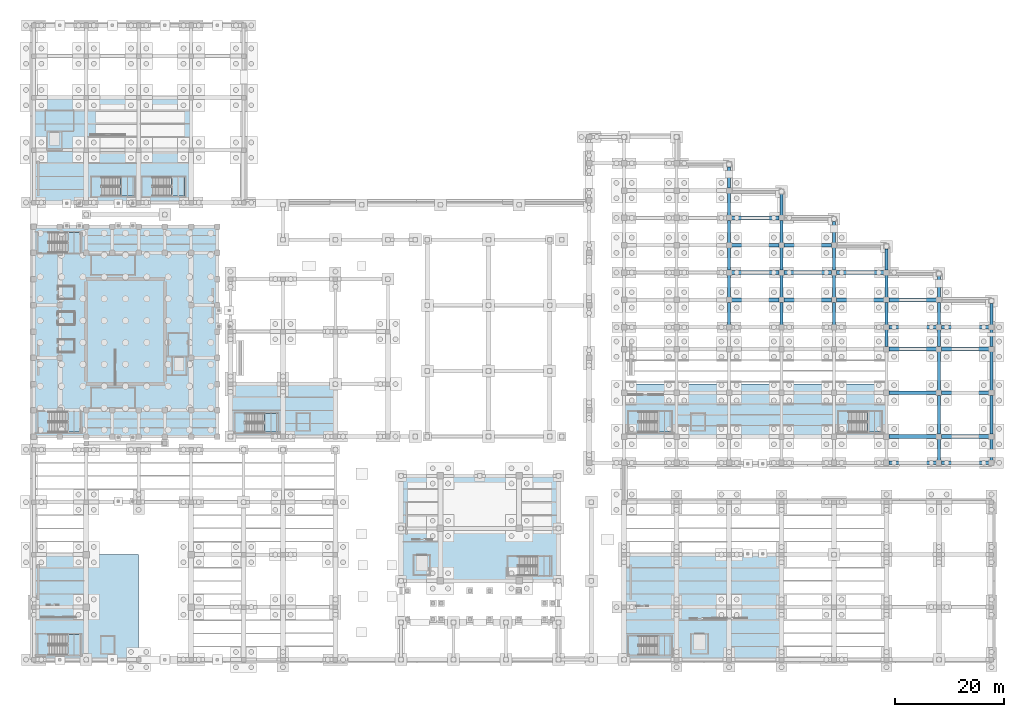
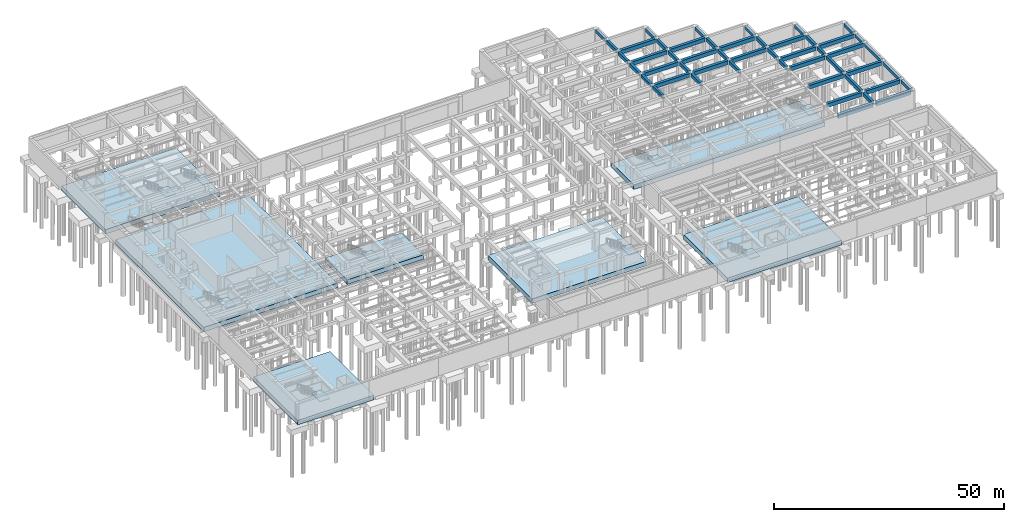
# One storey, part 30 of 56: 50 beams, 17 slabs, 10 elements without a shape of their own.
"""IFC4 building model written with IfcOpenShell, lengths in metres."""

from ifc_helpers import new_model, si_unit, direction, frame, origin, origin_2d, place, context, subcontext, project, spatial, polyline, rectangle, outline, extrude, material, layer, layer_set, material_profile, profile_set, type_object, element, aggregate, save


model = new_model("IFC4")

# Units and contexts
model_context = context("Model", 3, precision=1e-05, world=origin(), true_north=direction((0.0, 1.0)))
body_context = subcontext(model_context, "Body", "Model", "MODEL_VIEW")
ifc_project = project(units=[si_unit("LENGTHUNIT", "METRE"), si_unit("AREAUNIT", "SQUARE_METRE"), si_unit("VOLUMEUNIT", "CUBIC_METRE"), si_unit("PLANEANGLEUNIT", "RADIAN"), si_unit("MASSUNIT", "GRAM", prefix="KILO")], contexts=[model_context])

# Site, building, storey
site_placement = place(None, origin())
site = spatial("IfcSite", under=ifc_project, at=site_placement, CompositionType="ELEMENT")
building_placement = place(site_placement, origin())
building = spatial("IfcBuilding", under=site, at=building_placement, Name="Mavantir Sound Aquarium", CompositionType="ELEMENT")
storey_placement = place(building_placement, frame((0.0, 0.0, -9.60009765625)))
storey = spatial("IfcBuildingStorey", under=building, at=storey_placement, Name="B2", CompositionType="ELEMENT", Elevation=-9.60009765625)

# Beams
ifc_material_1 = material(Name="Concrete C40/50", Category="concrete")
ifc_material_profile_1 = material_profile(ifc_material_1, rectangle(XDim=0.60009765625, YDim=0.89990234375, at=origin_2d()), Name="RC 600X900")
ifc_profile_set_1 = profile_set([ifc_material_profile_1], Name="Concrete C40/50")
beam_type_1 = type_object("IfcBeamType", Name="BM-RC600X900-E", PredefinedType="BEAM", material=ifc_profile_set_1)
beam_1_placement = place(storey_placement, frame((175.199951171875, 36.449951171875, 4.34619140625), z_axis=(0.0, 1.0, 0.0), x_axis=(-1.0, 0.0, 0.0)))
element("IfcBeam", 1, at=beam_1_placement, inside=storey, type_object=beam_type_1, Name="B2 primary girder RCB-09 306", PredefinedType="BEAM", context=body_context, shape_type="SweptSolid", body=[
    extrude(rectangle(XDim=0.60009765625, YDim=0.89990234375, at=origin_2d()), origin(), (0.0, 0.0, 1.0), 3.900146484375),
])
for number, where, z_axis, x_axis, name in (
    (2, (175.199951171875, 41.25, 4.34619140625), (0.0, 1.0, 0.0), (-1.0, 0.0, 0.0), "B2 primary girder RCB-09 307"),
    (3, (175.199951171875, 49.25, 4.34619140625), (0.0, 1.0, 0.0), (-1.0, 0.0, 0.0), "B2 primary girder RCB-09 308"),
):
    element("IfcBeam", number, at=place(storey_placement, frame(where, z_axis=z_axis, x_axis=x_axis)), inside=storey, type_object=beam_type_1, Name=name, PredefinedType="BEAM", context=body_context, shape_type="SweptSolid", body=[
        extrude(rectangle(XDim=0.60009765625, YDim=0.89990234375, at=origin_2d()), origin(), (0.0, 0.0, 1.0), 7.10009765625),
    ])
beam_2_placement = place(storey_placement, frame((175.199951171875, 57.25, 4.34619140625), z_axis=(0.0, 1.0, 0.0), x_axis=(-1.0, 0.0, 0.0)))
element("IfcBeam", 4, at=beam_2_placement, inside=storey, type_object=beam_type_1, Name="B2 primary girder RCB-09 309", PredefinedType="BEAM", context=body_context, shape_type="SweptSolid", body=[
    extrude(rectangle(XDim=0.60009765625, YDim=0.89990234375, at=origin_2d()), origin(), (0.0, 0.0, 1.0), 3.10009765625),
])
beam_3_placement = place(storey_placement, frame((175.199951171875, 61.25, 4.34619140625), z_axis=(0.0, 1.0, 0.0), x_axis=(-1.0, 0.0, 0.0)))
element("IfcBeam", 5, at=beam_3_placement, inside=storey, type_object=beam_type_1, Name="B2 primary girder RCB-09 310", PredefinedType="BEAM", context=body_context, shape_type="SweptSolid", body=[
    extrude(rectangle(XDim=0.60009765625, YDim=0.89990234375, at=origin_2d()), origin(), (0.0, 0.0, 1.0), 3.89990234375),
])
ifc_material_profile_2 = material_profile(ifc_material_1, rectangle(XDim=0.60009765625, YDim=0.89990234375, at=origin_2d()), Name="RC 600X900")
ifc_profile_set_2 = profile_set([ifc_material_profile_2], Name="Concrete C40/50")
beam_type_2 = type_object("IfcBeamType", Name="BM-RC600X900-I", PredefinedType="BEAM", material=ifc_profile_set_2)
for number, where, z_axis, x_axis, name in (
    (6, (127.199951171875, 61.25, 4.34619140625), (0.0, 1.0, 0.0), (-1.0, 0.0, 0.0), "B2 primary girder RCB-09 270"),
    (7, (127.199951171875, 66.25, 4.34619140625), (0.0, 1.0, 0.0), (-1.0, 0.0, 0.0), "B2 primary girder RCB-09 271"),
    (8, (127.199951171875, 71.25, 4.34619140625), (0.0, 1.0, 0.0), (-1.0, 0.0, 0.0), "B2 primary girder RCB-09 272"),
    (9, (127.199951171875, 76.25, 4.34619140625), (0.0, 1.0, 0.0), (-1.0, 0.0, 0.0), "B2 primary girder RCB-09 273"),
    (10, (127.199951171875, 81.25, 4.34619140625), (0.0, 1.0, 0.0), (-1.0, 0.0, 0.0), "B2 primary girder RCB-09 274"),
):
    element("IfcBeam", number, at=place(storey_placement, frame(where, z_axis=z_axis, x_axis=x_axis)), inside=storey, type_object=beam_type_2, Name=name, PredefinedType="BEAM", context=body_context, shape_type="SweptSolid", body=[
        extrude(rectangle(XDim=0.60009765625, YDim=0.89990234375, at=origin_2d()), origin(), (0.0, 0.0, 1.0), 4.10009765625),
    ])
beam_4_placement = place(storey_placement, frame((127.199951171875, 86.25, 4.34619140625), z_axis=(0.0, 1.0, 0.0), x_axis=(-1.0, 0.0, 0.0)))
element("IfcBeam", 11, at=beam_4_placement, inside=storey, type_object=beam_type_2, Name="B2 primary girder RCB-09 275", PredefinedType="BEAM", context=body_context, shape_type="SweptSolid", body=[
    extrude(rectangle(XDim=0.60009765625, YDim=0.89990234375, at=origin_2d()), origin(), (0.0, 0.0, 1.0), 3.89990234375),
])
for number, where, z_axis, x_axis, name in (
    (12, (136.800048828125, 61.25, 4.34619140625), (0.0, 1.0, 0.0), (-1.0, 0.0, 0.0), "B2 primary girder RCB-09 280"),
    (13, (136.800048828125, 66.25, 4.34619140625), (0.0, 1.0, 0.0), (-1.0, 0.0, 0.0), "B2 primary girder RCB-09 281"),
    (14, (136.800048828125, 71.25, 4.34619140625), (0.0, 1.0, 0.0), (-1.0, 0.0, 0.0), "B2 primary girder RCB-09 282"),
    (15, (136.800048828125, 76.25, 4.34619140625), (0.0, 1.0, 0.0), (-1.0, 0.0, 0.0), "B2 primary girder RCB-09 283"),
):
    element("IfcBeam", number, at=place(storey_placement, frame(where, z_axis=z_axis, x_axis=x_axis)), inside=storey, type_object=beam_type_2, Name=name, PredefinedType="BEAM", context=body_context, shape_type="SweptSolid", body=[
        extrude(rectangle(XDim=0.60009765625, YDim=0.89990234375, at=origin_2d()), origin(), (0.0, 0.0, 1.0), 4.10009765625),
    ])
beam_5_placement = place(storey_placement, frame((136.800048828125, 81.25, 4.34619140625), z_axis=(0.0, 1.0, 0.0), x_axis=(-1.0, 0.0, 0.0)))
element("IfcBeam", 16, at=beam_5_placement, inside=storey, type_object=beam_type_2, Name="B2 primary girder RCB-09 284", PredefinedType="BEAM", context=body_context, shape_type="SweptSolid", body=[
    extrude(rectangle(XDim=0.60009765625, YDim=0.89990234375, at=origin_2d()), origin(), (0.0, 0.0, 1.0), 3.89990234375),
])
for number, where, z_axis, x_axis, name in (
    (17, (146.39990234375, 61.25, 4.34619140625), (0.0, 1.0, 0.0), (-1.0, 0.0, 0.0), "B2 primary girder RCB-09 289"),
    (18, (146.39990234375, 66.25, 4.34619140625), (0.0, 1.0, 0.0), (-1.0, 0.0, 0.0), "B2 primary girder RCB-09 290"),
    (19, (146.39990234375, 71.25, 4.34619140625), (0.0, 1.0, 0.0), (-1.0, 0.0, 0.0), "B2 primary girder RCB-09 291"),
):
    element("IfcBeam", number, at=place(storey_placement, frame(where, z_axis=z_axis, x_axis=x_axis)), inside=storey, type_object=beam_type_2, Name=name, PredefinedType="BEAM", context=body_context, shape_type="SweptSolid", body=[
        extrude(rectangle(XDim=0.60009765625, YDim=0.89990234375, at=origin_2d()), origin(), (0.0, 0.0, 1.0), 4.10009765625),
    ])
beam_6_placement = place(storey_placement, frame((146.39990234375, 76.25, 4.34619140625), z_axis=(0.0, 1.0, 0.0), x_axis=(-1.0, 0.0, 0.0)))
element("IfcBeam", 20, at=beam_6_placement, inside=storey, type_object=beam_type_2, Name="B2 primary girder RCB-09 292", PredefinedType="BEAM", context=body_context, shape_type="SweptSolid", body=[
    extrude(rectangle(XDim=0.60009765625, YDim=0.89990234375, at=origin_2d()), origin(), (0.0, 0.0, 1.0), 3.89990234375),
])
beam_7_placement = place(storey_placement, frame((156.0, 57.25, 4.34619140625), z_axis=(0.0, 1.0, 0.0), x_axis=(-1.0, 0.0, 0.0)))
element("IfcBeam", 21, at=beam_7_placement, inside=storey, type_object=beam_type_2, Name="B2 primary girder RCB-09 296", PredefinedType="BEAM", context=body_context, shape_type="SweptSolid", body=[
    extrude(rectangle(XDim=0.60009765625, YDim=0.89990234375, at=origin_2d()), origin(), (0.0, 0.0, 1.0), 3.10009765625),
])
for number, where, z_axis, x_axis, name in (
    (22, (156.0, 61.25, 4.34619140625), (0.0, 1.0, 0.0), (-1.0, 0.0, 0.0), "B2 primary girder RCB-09 297"),
    (23, (156.0, 66.25, 4.34619140625), (0.0, 1.0, 0.0), (-1.0, 0.0, 0.0), "B2 primary girder RCB-09 298"),
):
    element("IfcBeam", number, at=place(storey_placement, frame(where, z_axis=z_axis, x_axis=x_axis)), inside=storey, type_object=beam_type_2, Name=name, PredefinedType="BEAM", context=body_context, shape_type="SweptSolid", body=[
        extrude(rectangle(XDim=0.60009765625, YDim=0.89990234375, at=origin_2d()), origin(), (0.0, 0.0, 1.0), 4.10009765625),
    ])
beam_8_placement = place(storey_placement, frame((156.0, 71.25, 4.34619140625), z_axis=(0.0, 1.0, 0.0), x_axis=(-1.0, 0.0, 0.0)))
element("IfcBeam", 24, at=beam_8_placement, inside=storey, type_object=beam_type_2, Name="B2 primary girder RCB-09 299", PredefinedType="BEAM", context=body_context, shape_type="SweptSolid", body=[
    extrude(rectangle(XDim=0.60009765625, YDim=0.89990234375, at=origin_2d()), origin(), (0.0, 0.0, 1.0), 3.89990234375),
])
beam_9_placement = place(storey_placement, frame((165.60009765625, 36.449951171875, 4.34619140625), z_axis=(0.0, 1.0, 0.0), x_axis=(-1.0, 0.0, 0.0)))
element("IfcBeam", 25, at=beam_9_placement, inside=storey, type_object=beam_type_2, Name="B2 primary girder RCB-09 300", PredefinedType="BEAM", context=body_context, shape_type="SweptSolid", body=[
    extrude(rectangle(XDim=0.60009765625, YDim=0.89990234375, at=origin_2d()), origin(), (0.0, 0.0, 1.0), 3.900146484375),
])
for number, where, z_axis, x_axis, name in (
    (26, (165.60009765625, 41.25, 4.34619140625), (0.0, 1.0, 0.0), (-1.0, 0.0, 0.0), "B2 primary girder RCB-09 301"),
    (27, (165.60009765625, 49.25, 4.34619140625), (0.0, 1.0, 0.0), (-1.0, 0.0, 0.0), "B2 primary girder RCB-09 302"),
):
    element("IfcBeam", number, at=place(storey_placement, frame(where, z_axis=z_axis, x_axis=x_axis)), inside=storey, type_object=beam_type_2, Name=name, PredefinedType="BEAM", context=body_context, shape_type="SweptSolid", body=[
        extrude(rectangle(XDim=0.60009765625, YDim=0.89990234375, at=origin_2d()), origin(), (0.0, 0.0, 1.0), 7.10009765625),
    ])
beam_10_placement = place(storey_placement, frame((165.60009765625, 57.25, 4.34619140625), z_axis=(0.0, 1.0, 0.0), x_axis=(-1.0, 0.0, 0.0)))
element("IfcBeam", 28, at=beam_10_placement, inside=storey, type_object=beam_type_2, Name="B2 primary girder RCB-09 303", PredefinedType="BEAM", context=body_context, shape_type="SweptSolid", body=[
    extrude(rectangle(XDim=0.60009765625, YDim=0.89990234375, at=origin_2d()), origin(), (0.0, 0.0, 1.0), 3.10009765625),
])
beam_11_placement = place(storey_placement, frame((165.60009765625, 61.25, 4.34619140625), z_axis=(0.0, 1.0, 0.0), x_axis=(-1.0, 0.0, 0.0)))
element("IfcBeam", 29, at=beam_11_placement, inside=storey, type_object=beam_type_2, Name="B2 primary girder RCB-09 304", PredefinedType="BEAM", context=body_context, shape_type="SweptSolid", body=[
    extrude(rectangle(XDim=0.60009765625, YDim=0.89990234375, at=origin_2d()), origin(), (0.0, 0.0, 1.0), 4.10009765625),
])
beam_12_placement = place(storey_placement, frame((165.60009765625, 66.25, 4.34619140625), z_axis=(0.0, 1.0, 0.0), x_axis=(-1.0, 0.0, 0.0)))
element("IfcBeam", 30, at=beam_12_placement, inside=storey, type_object=beam_type_2, Name="B2 primary girder RCB-09 305", PredefinedType="BEAM", context=body_context, shape_type="SweptSolid", body=[
    extrude(rectangle(XDim=0.60009765625, YDim=0.89990234375, at=origin_2d()), origin(), (0.0, 0.0, 1.0), 3.89990234375),
])
ifc_material_profile_3 = material_profile(ifc_material_1, rectangle(XDim=0.699951171875, YDim=1.0, at=origin_2d()), Name="RC 700X1000")
ifc_profile_set_3 = profile_set([ifc_material_profile_3], Name="Concrete C40/50")
beam_type_3 = type_object("IfcBeamType", Name="BM-RC700X1000-E", PredefinedType="BEAM", material=ifc_profile_set_3)
for number, where, z_axis, x_axis, name in (
    (31, (156.449951171875, 36.0, 4.296142578125), (1.0, 0.0, 0.0), (0.0, 1.0, 0.0), "B2 primary beam RCB-10 183"),
    (32, (166.050048828125, 36.0, 4.296142578125), (1.0, 0.0, 0.0), (0.0, 1.0, 0.0), "B2 primary beam RCB-10 184"),
):
    element("IfcBeam", number, at=place(storey_placement, frame(where, z_axis=z_axis, x_axis=x_axis)), inside=storey, type_object=beam_type_3, Name=name, PredefinedType="BEAM", context=body_context, shape_type="SweptSolid", body=[
        extrude(rectangle(XDim=0.699951171875, YDim=1.0, at=origin_2d()), origin(), (0.0, 0.0, 1.0), 8.699951171875),
    ])
ifc_material_profile_4 = material_profile(ifc_material_1, rectangle(XDim=0.699951171875, YDim=1.0, at=origin_2d()), Name="RC 700X1000")
ifc_profile_set_4 = profile_set([ifc_material_profile_4], Name="Concrete C40/50")
beam_type_4 = type_object("IfcBeamType", Name="BM-RC700X1000-I", PredefinedType="BEAM", material=ifc_profile_set_4)
for number, where, z_axis, x_axis, name in (
    (33, (156.449951171875, 40.800048828125, 4.296142578125), (1.0, 0.0, 0.0), (0.0, 1.0, 0.0), "B2 primary beam RCB-10 190"),
    (34, (166.050048828125, 40.800048828125, 4.296142578125), (1.0, 0.0, 0.0), (0.0, 1.0, 0.0), "B2 primary beam RCB-10 191"),
    (35, (156.449951171875, 48.800048828125, 4.296142578125), (1.0, 0.0, 0.0), (0.0, 1.0, 0.0), "B2 primary beam RCB-10 197"),
    (36, (166.050048828125, 48.800048828125, 4.296142578125), (1.0, 0.0, 0.0), (0.0, 1.0, 0.0), "B2 primary beam RCB-10 198"),
    (37, (156.449951171875, 56.800048828125, 4.296142578125), (1.0, 0.0, 0.0), (0.0, 1.0, 0.0), "B2 primary beam RCB-10 204"),
    (38, (166.050048828125, 56.800048828125, 4.296142578125), (1.0, 0.0, 0.0), (0.0, 1.0, 0.0), "B2 primary beam RCB-10 205"),
    (39, (156.449951171875, 60.800048828125, 4.296142578125), (1.0, 0.0, 0.0), (0.0, 1.0, 0.0), "B2 primary beam RCB-10 211"),
    (40, (166.050048828125, 60.800048828125, 4.296142578125), (1.0, 0.0, 0.0), (0.0, 1.0, 0.0), "B2 primary beam RCB-10 212"),
):
    element("IfcBeam", number, at=place(storey_placement, frame(where, z_axis=z_axis, x_axis=x_axis)), inside=storey, type_object=beam_type_4, Name=name, PredefinedType="BEAM", context=body_context, shape_type="SweptSolid", body=[
        extrude(rectangle(XDim=0.699951171875, YDim=1.0, at=origin_2d()), origin(), (0.0, 0.0, 1.0), 8.699951171875),
    ])
beam_13_placement = place(storey_placement, frame((127.64990234375, 65.800048828125, 4.296142578125), z_axis=(1.0, 0.0, 0.0), x_axis=(0.0, 1.0, 0.0)))
element("IfcBeam", 41, at=beam_13_placement, inside=storey, type_object=beam_type_4, Name="B2 primary beam RCB-10 215", PredefinedType="BEAM", context=body_context, shape_type="SweptSolid", body=[
    extrude(rectangle(XDim=0.699951171875, YDim=1.0, at=origin_2d()), origin(), (0.0, 0.0, 1.0), 8.7001953125),
])
for number, where, z_axis, x_axis, name in (
    (42, (137.25, 65.800048828125, 4.296142578125), (1.0, 0.0, 0.0), (0.0, 1.0, 0.0), "B2 primary beam RCB-10 216"),
    (43, (146.85009765625, 65.800048828125, 4.296142578125), (1.0, 0.0, 0.0), (0.0, 1.0, 0.0), "B2 primary beam RCB-10 217"),
    (44, (156.449951171875, 65.800048828125, 4.296142578125), (1.0, 0.0, 0.0), (0.0, 1.0, 0.0), "B2 primary beam RCB-10 218"),
):
    element("IfcBeam", number, at=place(storey_placement, frame(where, z_axis=z_axis, x_axis=x_axis)), inside=storey, type_object=beam_type_4, Name=name, PredefinedType="BEAM", context=body_context, shape_type="SweptSolid", body=[
        extrude(rectangle(XDim=0.699951171875, YDim=1.0, at=origin_2d()), origin(), (0.0, 0.0, 1.0), 8.699951171875),
    ])
beam_14_placement = place(storey_placement, frame((127.64990234375, 70.800048828125, 4.296142578125), z_axis=(1.0, 0.0, 0.0), x_axis=(0.0, 1.0, 0.0)))
element("IfcBeam", 45, at=beam_14_placement, inside=storey, type_object=beam_type_4, Name="B2 primary beam RCB-10 221", PredefinedType="BEAM", context=body_context, shape_type="SweptSolid", body=[
    extrude(rectangle(XDim=0.699951171875, YDim=1.0, at=origin_2d()), origin(), (0.0, 0.0, 1.0), 8.7001953125),
])
for number, where, z_axis, x_axis, name in (
    (46, (137.25, 70.800048828125, 4.296142578125), (1.0, 0.0, 0.0), (0.0, 1.0, 0.0), "B2 primary beam RCB-10 222"),
    (47, (146.85009765625, 70.800048828125, 4.296142578125), (1.0, 0.0, 0.0), (0.0, 1.0, 0.0), "B2 primary beam RCB-10 223"),
):
    element("IfcBeam", number, at=place(storey_placement, frame(where, z_axis=z_axis, x_axis=x_axis)), inside=storey, type_object=beam_type_4, Name=name, PredefinedType="BEAM", context=body_context, shape_type="SweptSolid", body=[
        extrude(rectangle(XDim=0.699951171875, YDim=1.0, at=origin_2d()), origin(), (0.0, 0.0, 1.0), 8.699951171875),
    ])
beam_15_placement = place(storey_placement, frame((127.64990234375, 75.800048828125, 4.296142578125), z_axis=(1.0, 0.0, 0.0), x_axis=(0.0, 1.0, 0.0)))
element("IfcBeam", 48, at=beam_15_placement, inside=storey, type_object=beam_type_4, Name="B2 primary beam RCB-10 226", PredefinedType="BEAM", context=body_context, shape_type="SweptSolid", body=[
    extrude(rectangle(XDim=0.699951171875, YDim=1.0, at=origin_2d()), origin(), (0.0, 0.0, 1.0), 8.7001953125),
])
beam_16_placement = place(storey_placement, frame((137.25, 75.800048828125, 4.296142578125), z_axis=(1.0, 0.0, 0.0), x_axis=(0.0, 1.0, 0.0)))
element("IfcBeam", 49, at=beam_16_placement, inside=storey, type_object=beam_type_4, Name="B2 primary beam RCB-10 227", PredefinedType="BEAM", context=body_context, shape_type="SweptSolid", body=[
    extrude(rectangle(XDim=0.699951171875, YDim=1.0, at=origin_2d()), origin(), (0.0, 0.0, 1.0), 8.699951171875),
])
beam_17_placement = place(storey_placement, frame((127.64990234375, 80.800048828125, 4.296142578125), z_axis=(1.0, 0.0, 0.0), x_axis=(0.0, 1.0, 0.0)))
element("IfcBeam", 50, at=beam_17_placement, inside=storey, type_object=beam_type_4, Name="B2 primary beam RCB-10 230", PredefinedType="BEAM", context=body_context, shape_type="SweptSolid", body=[
    extrude(rectangle(XDim=0.699951171875, YDim=1.0, at=origin_2d()), origin(), (0.0, 0.0, 1.0), 8.7001953125),
])

# Slabs
ifc_material_2 = material(Name="Concrete C45/55", Category="concrete")
ifc_layer_1 = layer(ifc_material_2, 1.199951171875, Name="Concrete C45/55")
ifc_layer_set_1 = layer_set([ifc_layer_1], Name="Concrete C45/55")
slab_type_1 = type_object("IfcSlabType", Name="SLB-BS-01", PredefinedType="BASESLAB", material=ifc_layer_set_1)
slab_1_placement = place(storey_placement, frame((0.0, 0.0, -1.199951171875)))
element("IfcSlab", 51, at=slab_1_placement, inside=storey, type_object=slab_type_1, Name="B2 structural slab BS-01 (V1)", PredefinedType="BASESLAB", context=body_context, shape_type="SweptSolid", body=[
    extrude(outline(polyline([(33.60009765625, 40.800048828125), (33.60009765625, 79.199951171875), (0.0, 79.199951171875), (0.0, 40.800048828125), (33.60009765625, 40.800048828125)])), origin(), (0.0, 0.0, 1.0), 1.199951171875),
])
ifc_layer_2 = layer(ifc_material_1, 1.199951171875, Name="Concrete C40/50")
ifc_layer_set_2 = layer_set([ifc_layer_2], Name="Concrete C40/50")
slab_type_2 = type_object("IfcSlabType", Name="SLB-BS-02", PredefinedType="BASESLAB", material=ifc_layer_set_2)
slab_2_placement = place(storey_placement, frame((0.0, 0.0, -1.199951171875)))
element("IfcSlab", 52, at=slab_2_placement, inside=storey, type_object=slab_type_2, Name="B2 structural slab BS-02 (V2)", PredefinedType="BASESLAB", context=body_context, shape_type="SweptSolid", body=[
    extrude(outline(polyline([(55.199951171875, 40.800048828125), (55.199951171875, 50.39990234375), (36.0, 50.39990234375), (36.0, 40.800048828125), (55.199951171875, 40.800048828125)])), origin(), (0.0, 0.0, 1.0), 1.199951171875),
])
slab_3_placement = place(storey_placement, frame((0.0, 0.0, -1.199951171875)))
element("IfcSlab", 53, at=slab_3_placement, inside=storey, type_object=slab_type_2, Name="B2 structural slab BS-02 (V3)", PredefinedType="BASESLAB", context=body_context, shape_type="SweptSolid", body=[
    extrude(outline(polyline([(19.199951171875, 0.0), (19.199951171875, 19.199951171875), (0.0, 19.199951171875), (0.0, 0.0), (19.199951171875, 0.0)])), origin(), (0.0, 0.0, 1.0), 1.199951171875),
])
slab_4_placement = place(storey_placement, frame((0.0, 0.0, -1.199951171875)))
element("IfcSlab", 54, at=slab_4_placement, inside=storey, type_object=slab_type_2, Name="B2 structural slab BS-02 (V7)", PredefinedType="BASESLAB", context=body_context, shape_type="SweptSolid", body=[
    extrude(outline(polyline([(96.0, 14.39990234375), (96.0, 33.60009765625), (67.199951171875, 33.60009765625), (67.199951171875, 14.39990234375), (96.0, 14.39990234375)])), origin(), (0.0, 0.0, 1.0), 1.199951171875),
])
slab_5_placement = place(storey_placement, frame((0.0, 0.0, -1.199951171875)))
element("IfcSlab", 55, at=slab_5_placement, inside=storey, type_object=slab_type_2, Name="B2 structural slab BS-02 (V6)", PredefinedType="BASESLAB", context=body_context, shape_type="SweptSolid", body=[
    extrude(outline(polyline([(136.800048828125, 0.0), (136.800048828125, 19.199951171875), (108.0, 19.199951171875), (108.0, 0.0), (136.800048828125, 0.0)])), origin(), (0.0, 0.0, 1.0), 1.199951171875),
])
slab_6_placement = place(storey_placement, frame((0.0, 0.0, -1.199951171875)))
element("IfcSlab", 56, at=slab_6_placement, inside=storey, type_object=slab_type_2, Name="B2 structural slab BS-02 (V4)", PredefinedType="BASESLAB", context=body_context, shape_type="SweptSolid", body=[
    extrude(outline(polyline([(156.0, 40.800048828125), (156.0, 50.39990234375), (108.0, 50.39990234375), (108.0, 40.800048828125), (156.0, 40.800048828125)])), origin(), (0.0, 0.0, 1.0), 1.199951171875),
])
slab_7_placement = place(storey_placement, frame((0.0, 0.0, -1.199951171875)))
element("IfcSlab", 57, at=slab_7_placement, inside=storey, type_object=slab_type_2, Name="B2 structural slab BS-02 (V5)", PredefinedType="BASESLAB", context=body_context, shape_type="SweptSolid", body=[
    extrude(outline(polyline([(28.800048828125, 83.60009765625), (28.800048828125, 102.800048828125), (0.0, 102.800048828125), (0.0, 83.60009765625), (28.800048828125, 83.60009765625)])), origin(), (0.0, 0.0, 1.0), 1.199951171875),
])

# Stair, slab
stair_type_1 = type_object("IfcStairType", Name="STR-1800-4800", PredefinedType="HALF_TURN_STAIR", material=ifc_material_1)
stair_1_placement = place(storey_placement, origin())
stair_1 = element("IfcStair", 58, at=stair_1_placement, inside=storey, type_object=stair_type_1, Name="B2 Protected exit stair ST1", PredefinedType="HALF_TURN_STAIR")
ifc_layer_3 = layer(ifc_material_1, 0.199951171875, Name="Concrete C40/50")
ifc_layer_set_3 = layer_set([ifc_layer_3], Name="Concrete C40/50")
slab_type_3 = type_object("IfcSlabType", Name="SLB-LND-360", PredefinedType="LANDING", material=ifc_layer_set_3)
slab_8_placement = place(storey_placement, frame((0.0, 0.0, 2.2001953125)))
slab_8 = element("IfcSlab", 59, at=slab_8_placement, type_object=slab_type_3, Name="ST1 landing 1", PredefinedType="LANDING", context=body_context, shape_type="SweptSolid", body=[
    extrude(outline(polyline([(6.1298828125, 41.60009765625), (8.64990234375, 41.60009765625), (8.64990234375, 45.35009765625), (6.1298828125, 45.35009765625), (6.1298828125, 41.60009765625)])), origin(), (0.0, 0.0, 1.0), 0.199951171875),
])
aggregate(stair_1, [slab_8])

stair_2_placement = place(storey_placement, origin())
stair_2 = element("IfcStair", 60, at=stair_2_placement, inside=storey, type_object=stair_type_1, Name="B2 Protected exit stair ST2", PredefinedType="HALF_TURN_STAIR")
slab_9_placement = place(storey_placement, frame((0.0, 0.0, 2.2001953125)))
slab_9 = element("IfcSlab", 61, at=slab_9_placement, type_object=slab_type_3, Name="ST2 landing 1", PredefinedType="LANDING", context=body_context, shape_type="SweptSolid", body=[
    extrude(outline(polyline([(6.1298828125, 74.39990234375), (8.64990234375, 74.39990234375), (8.64990234375, 78.14990234375), (6.1298828125, 78.14990234375), (6.1298828125, 74.39990234375)])), origin(), (0.0, 0.0, 1.0), 0.199951171875),
])
aggregate(stair_2, [slab_9])

stair_3_placement = place(storey_placement, origin())
stair_3 = element("IfcStair", 62, at=stair_3_placement, inside=storey, type_object=stair_type_1, Name="B2 Protected exit stair ST3", PredefinedType="HALF_TURN_STAIR")
slab_10_placement = place(storey_placement, frame((0.0, 0.0, 2.2001953125)))
slab_10 = element("IfcSlab", 63, at=slab_10_placement, type_object=slab_type_3, Name="ST3 landing 1", PredefinedType="LANDING", context=body_context, shape_type="SweptSolid", body=[
    extrude(outline(polyline([(6.1298828125, 0.85009765625), (8.64990234375, 0.85009765625), (8.64990234375, 4.60009765625), (6.1298828125, 4.60009765625), (6.1298828125, 0.85009765625)])), origin(), (0.0, 0.0, 1.0), 0.199951171875),
])
aggregate(stair_3, [slab_10])

stair_4_placement = place(storey_placement, origin())
stair_4 = element("IfcStair", 64, at=stair_4_placement, inside=storey, type_object=stair_type_1, Name="B2 Protected exit stair ST4", PredefinedType="HALF_TURN_STAIR")
slab_11_placement = place(storey_placement, frame((0.0, 0.0, 2.2001953125)))
slab_11 = element("IfcSlab", 65, at=slab_11_placement, type_object=slab_type_3, Name="ST4 landing 1", PredefinedType="LANDING", context=body_context, shape_type="SweptSolid", body=[
    extrude(outline(polyline([(114.1298828125, 41.60009765625), (116.64990234375, 41.60009765625), (116.64990234375, 45.35009765625), (114.1298828125, 45.35009765625), (114.1298828125, 41.60009765625)])), origin(), (0.0, 0.0, 1.0), 0.199951171875),
])
aggregate(stair_4, [slab_11])

stair_5_placement = place(storey_placement, origin())
stair_5 = element("IfcStair", 66, at=stair_5_placement, inside=storey, type_object=stair_type_1, Name="B2 Protected exit stair ST12", PredefinedType="HALF_TURN_STAIR")
slab_12_placement = place(storey_placement, frame((0.0, 0.0, 2.2001953125)))
slab_12 = element("IfcSlab", 67, at=slab_12_placement, type_object=slab_type_3, Name="ST12 landing 1", PredefinedType="LANDING", context=body_context, shape_type="SweptSolid", body=[
    extrude(outline(polyline([(152.530029296875, 41.60009765625), (155.050048828125, 41.60009765625), (155.050048828125, 45.35009765625), (152.530029296875, 45.35009765625), (152.530029296875, 41.60009765625)])), origin(), (0.0, 0.0, 1.0), 0.199951171875),
])
aggregate(stair_5, [slab_12])

stair_type_2 = type_object("IfcStairType", Name="STR-1650-4800", PredefinedType="HALF_TURN_STAIR", material=ifc_material_1)
stair_6_placement = place(storey_placement, origin())
stair_6 = element("IfcStair", 68, at=stair_6_placement, inside=storey, type_object=stair_type_2, Name="B2 Protected exit stair ST5", PredefinedType="HALF_TURN_STAIR")
slab_13_placement = place(storey_placement, frame((0.0, 0.0, 2.2001953125)))
slab_13 = element("IfcSlab", 69, at=slab_13_placement, type_object=slab_type_3, Name="ST5 landing 1", PredefinedType="LANDING", context=body_context, shape_type="SweptSolid", body=[
    extrude(outline(polyline([(15.8798828125, 84.800048828125), (18.39990234375, 84.800048828125), (18.39990234375, 88.25), (15.8798828125, 88.25), (15.8798828125, 84.800048828125)])), origin(), (0.0, 0.0, 1.0), 0.199951171875),
])
aggregate(stair_6, [slab_13])

stair_7_placement = place(storey_placement, origin())
stair_7 = element("IfcStair", 70, at=stair_7_placement, inside=storey, type_object=stair_type_2, Name="B2 Protected exit stair ST7", PredefinedType="HALF_TURN_STAIR")
slab_14_placement = place(storey_placement, frame((0.0, 0.0, 2.2001953125)))
slab_14 = element("IfcSlab", 71, at=slab_14_placement, type_object=slab_type_3, Name="ST7 landing 1", PredefinedType="LANDING", context=body_context, shape_type="SweptSolid", body=[
    extrude(outline(polyline([(25.179931640625, 84.800048828125), (27.699951171875, 84.800048828125), (27.699951171875, 88.25), (25.179931640625, 88.25), (25.179931640625, 84.800048828125)])), origin(), (0.0, 0.0, 1.0), 0.199951171875),
])
aggregate(stair_7, [slab_14])

stair_8_placement = place(storey_placement, origin())
stair_8 = element("IfcStair", 72, at=stair_8_placement, inside=storey, type_object=stair_type_2, Name="B2 Protected exit stair ST6", PredefinedType="HALF_TURN_STAIR")
slab_15_placement = place(storey_placement, frame((0.0, 0.0, 2.2001953125)))
slab_15 = element("IfcSlab", 73, at=slab_15_placement, type_object=slab_type_3, Name="ST6 landing 1", PredefinedType="LANDING", context=body_context, shape_type="SweptSolid", body=[
    extrude(outline(polyline([(114.1298828125, 0.85009765625), (116.64990234375, 0.85009765625), (116.64990234375, 4.300048828125), (114.1298828125, 4.300048828125), (114.1298828125, 0.85009765625)])), origin(), (0.0, 0.0, 1.0), 0.199951171875),
])
aggregate(stair_8, [slab_15])

stair_9_placement = place(storey_placement, origin())
stair_9 = element("IfcStair", 74, at=stair_9_placement, inside=storey, type_object=stair_type_2, Name="B2 Protected exit stair ST8", PredefinedType="HALF_TURN_STAIR")
slab_16_placement = place(storey_placement, frame((0.0, 0.0, 2.2001953125)))
slab_16 = element("IfcSlab", 75, at=slab_16_placement, type_object=slab_type_3, Name="ST8 landing 1", PredefinedType="LANDING", context=body_context, shape_type="SweptSolid", body=[
    extrude(outline(polyline([(42.1298828125, 41.60009765625), (44.64990234375, 41.60009765625), (44.64990234375, 45.050048828125), (42.1298828125, 45.050048828125), (42.1298828125, 41.60009765625)])), origin(), (0.0, 0.0, 1.0), 0.199951171875),
])
aggregate(stair_9, [slab_16])

stair_10_placement = place(storey_placement, origin())
stair_10 = element("IfcStair", 76, at=stair_10_placement, inside=storey, type_object=stair_type_2, Name="B2 Protected exit stair ST11", PredefinedType="HALF_TURN_STAIR")
slab_17_placement = place(storey_placement, frame((0.0, 0.0, 2.2001953125)))
slab_17 = element("IfcSlab", 77, at=slab_17_placement, type_object=slab_type_3, Name="ST11 landing 1", PredefinedType="LANDING", context=body_context, shape_type="SweptSolid", body=[
    extrude(outline(polyline([(92.080078125, 15.39990234375), (94.60009765625, 15.39990234375), (94.60009765625, 18.85009765625), (92.080078125, 18.85009765625), (92.080078125, 15.39990234375)])), origin(), (0.0, 0.0, 1.0), 0.199951171875),
])
aggregate(stair_10, [slab_17])

save(model, "model.ifc")
